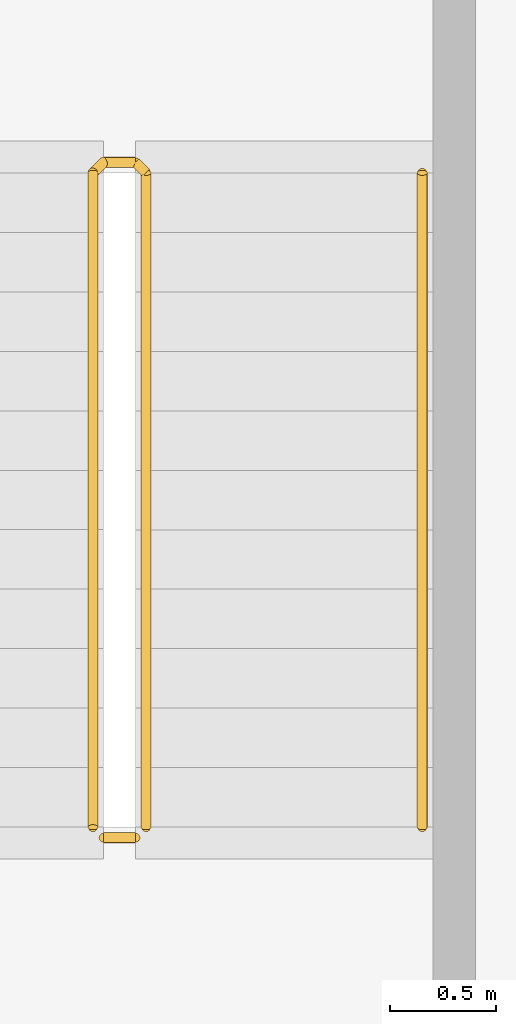
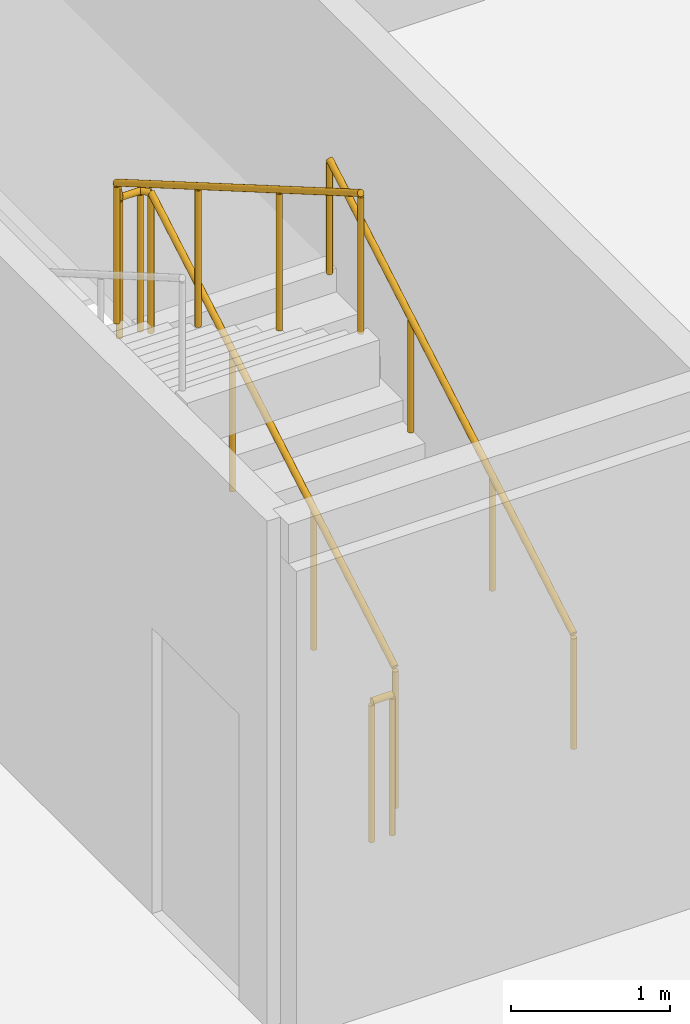
# One storey, part 28 of 29: 3 railings.
"""IFC4 building model written with IfcOpenShell, lengths in metres."""

from ifc_helpers import new_model, si_unit, direction, frame, origin, origin_2d, place, context, subcontext, project, spatial, circle, extrude, material, type_object, element, save


model = new_model("IFC4")

# Units and contexts
model_context = context("Model", 3, precision=1e-05, world=origin(), true_north=direction((0.0, 1.0)))
body_context = subcontext(model_context, "Body", "Model", "MODEL_VIEW")
ifc_project = project(units=[si_unit("LENGTHUNIT", "METRE"), si_unit("AREAUNIT", "SQUARE_METRE"), si_unit("VOLUMEUNIT", "CUBIC_METRE"), si_unit("PLANEANGLEUNIT", "RADIAN"), si_unit("MASSUNIT", "GRAM", prefix="KILO")], contexts=[model_context])

# Site, building, storey
site_placement = place(None, origin())
site = spatial("IfcSite", under=ifc_project, at=site_placement, CompositionType="ELEMENT")
building_placement = place(site_placement, origin())
building = spatial("IfcBuilding", under=site, at=building_placement, Name="Kheshtan School and Residences Tower", CompositionType="ELEMENT")
storey_placement = place(building_placement, frame((0.0, 0.0, 168.199951171875)))
storey = spatial("IfcBuildingStorey", under=building, at=storey_placement, Name="L39", CompositionType="ELEMENT", Elevation=168.199951171875)

# Railings
ifc_material_1 = material(Name="Stainless steel balustrade", Category="steel")
railing_type_1 = type_object("IfcRailingType", Name="Stair guard 1100", PredefinedType="GUARDRAIL", material=ifc_material_1)
railing_1_placement = place(storey_placement, frame((35.0, 80.89990234375, 0.16259765625)))
element("IfcRailing", 1, at=railing_1_placement, inside=storey, type_object=railing_type_1, Name="L39 ST3 stair guard 1", PredefinedType="GUARDRAIL", context=body_context, shape_type="SweptSolid", body=[
    extrude(circle(Radius=0.02392578125, at=origin_2d()), frame((0.0, 0.0, 1.076171875), z_axis=(0.0, 0.864920483161, 0.501908913857), x_axis=(-1.0, 0.0, 0.0)), (0.0, 0.0, 1.0), 3.56103515625),
    extrude(circle(Radius=0.02392578125, at=origin_2d()), frame((0.0, 3.080078125, 2.86328125), z_axis=(-0.707106781187, 0.707106781187, 0.0), x_axis=(-0.707106781187, -0.707106781187, 0.0)), (0.0, 0.0, 1.0), 0.07080078125),
    extrude(circle(Radius=0.02392578125, at=origin_2d()), frame((-0.050048828125, 3.130126953125, 2.86328125), z_axis=(-1.0, 0.0, 0.0), x_axis=(0.0, -1.0, 0.0)), (0.0, 0.0, 1.0), 0.14990234375),
    extrude(circle(Radius=0.02392578125, at=origin_2d()), frame((-0.199951171875, 3.130126953125, 2.86328125), z_axis=(-0.282227285176, -0.282227285176, 0.916894497205), x_axis=(0.707106781187, -0.707106781187, 0.0)), (0.0, 0.0, 1.0), 0.17724609375),
    extrude(circle(Radius=0.02392578125, at=origin_2d()), frame((-0.25, 3.080078125, 3.02587890625), z_axis=(0.0, -0.864890721111, 0.501960198159), x_axis=(1.0, 0.0, 0.0)), (0.0, 0.0, 1.0), 3.561279296875),
    extrude(circle(Radius=0.02099609375, at=origin_2d()), origin(), (0.0, 0.0, 1.0), 1.052001953125),
    extrude(circle(Radius=0.02099609375, at=origin_2d()), frame((0.0, 1.026611328125, 0.595703125)), (0.0, 0.0, 1.0), 1.052001953125),
    extrude(circle(Radius=0.02099609375, at=origin_2d()), frame((0.0, 2.053466796875, 1.191650390625)), (0.0, 0.0, 1.0), 1.052001953125),
    extrude(circle(Radius=0.02099609375, at=origin_2d()), frame((0.0, 3.080078125, 1.787353515625)), (0.0, 0.0, 1.0), 1.052001953125),
    extrude(circle(Radius=0.02099609375, at=origin_2d()), frame((-0.050048828125, 3.130126953125, 1.787353515625)), (0.0, 0.0, 1.0), 1.052001953125),
    extrude(circle(Radius=0.02099609375, at=origin_2d()), frame((-0.199951171875, 3.130126953125, 1.787353515625)), (0.0, 0.0, 1.0), 1.052001953125),
    extrude(circle(Radius=0.02099609375, at=origin_2d()), frame((-0.25, 3.080078125, 1.949951171875)), (0.0, 0.0, 1.0), 1.052001953125),
    extrude(circle(Radius=0.02099609375, at=origin_2d()), frame((-0.25, 2.053466796875, 2.5458984375)), (0.0, 0.0, 1.0), 1.052001953125),
    extrude(circle(Radius=0.02099609375, at=origin_2d()), frame((-0.25, 1.026611328125, 3.1416015625)), (0.0, 0.0, 1.0), 1.052001953125),
    extrude(circle(Radius=0.02099609375, at=origin_2d()), frame((-0.25, 0.0, 3.737548828125)), (0.0, 0.0, 1.0), 1.052001953125),
])
railing_2_placement = place(storey_placement, frame((34.949951171875, 80.85009765625, 0.0)))
element("IfcRailing", 2, at=railing_2_placement, inside=storey, type_object=railing_type_1, Name="L39 ST3 stair guard 2", PredefinedType="GUARDRAIL", context=body_context, shape_type="SweptSolid", body=[
    extrude(circle(Radius=0.02392578125, at=origin_2d()), frame((0.0, 0.0, 1.076171875), z_axis=(-1.0, 0.0, 0.0), x_axis=(0.0, -1.0, 0.0)), (0.0, 0.0, 1.0), 0.14990234375),
    extrude(circle(Radius=0.02099609375, at=origin_2d()), origin(), (0.0, 0.0, 1.0), 1.052001953125),
    extrude(circle(Radius=0.02099609375, at=origin_2d()), frame((-0.14990234375, 0.0, 0.0)), (0.0, 0.0, 1.0), 1.052001953125),
])
ifc_material_2 = material(Name="Stainless steel handrail", Category="steel")
railing_type_2 = type_object("IfcRailingType", Name="Stair handrail 900", PredefinedType="HANDRAIL", material=ifc_material_2)
railing_3_placement = place(storey_placement, frame((36.300048828125, 80.89990234375, 0.16259765625)))
element("IfcRailing", 3, at=railing_3_placement, inside=storey, type_object=railing_type_2, Name="L39 ST3 stair handrail 1", PredefinedType="HANDRAIL", context=body_context, shape_type="SweptSolid", body=[
    extrude(circle(Radius=0.02392578125, at=origin_2d()), frame((0.0, 0.0, 0.8759765625), z_axis=(0.0, 0.864920483161, 0.501908913857), x_axis=(-1.0, 0.0, 0.0)), (0.0, 0.0, 1.0), 3.56103515625),
    extrude(circle(Radius=0.02099609375, at=origin_2d()), origin(), (0.0, 0.0, 1.0), 0.851806640625),
    extrude(circle(Radius=0.02099609375, at=origin_2d()), frame((0.0, 1.026611328125, 0.595703125)), (0.0, 0.0, 1.0), 0.851806640625),
    extrude(circle(Radius=0.02099609375, at=origin_2d()), frame((0.0, 2.053466796875, 1.191650390625)), (0.0, 0.0, 1.0), 0.851806640625),
    extrude(circle(Radius=0.02099609375, at=origin_2d()), frame((0.0, 3.080078125, 1.787353515625)), (0.0, 0.0, 1.0), 0.851806640625),
])

save(model, "model.ifc")
